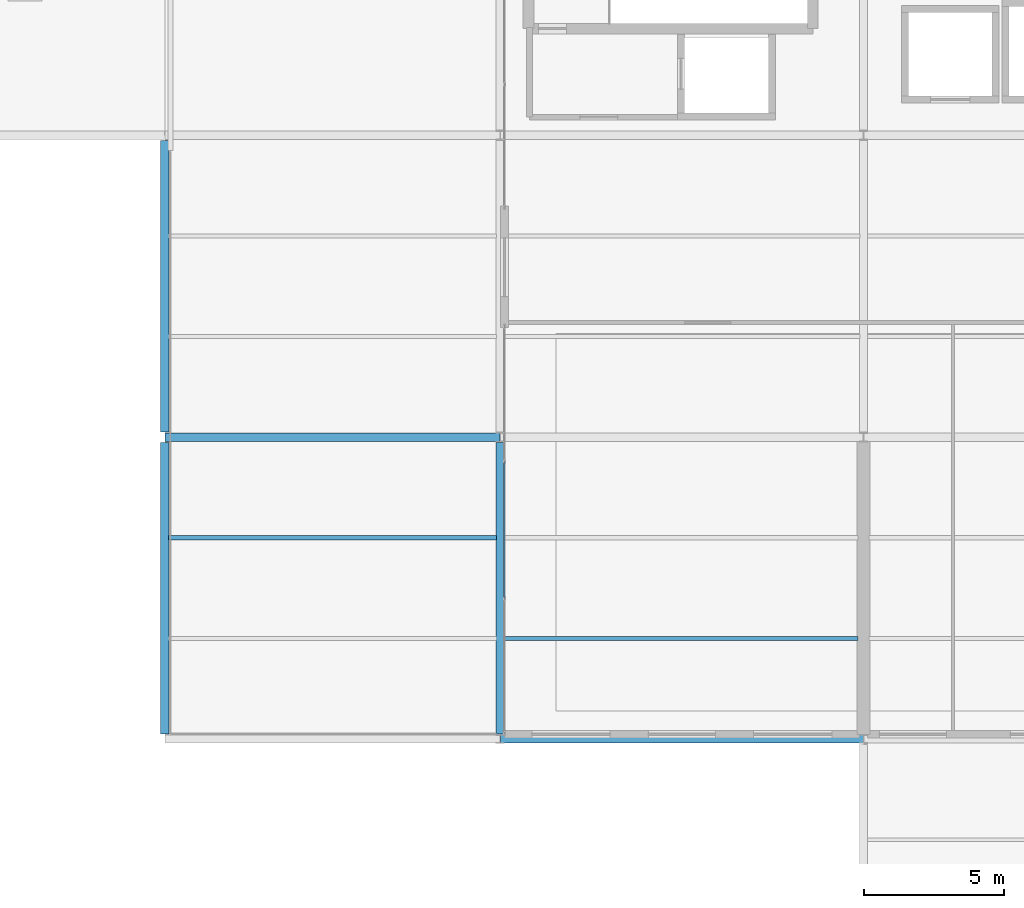
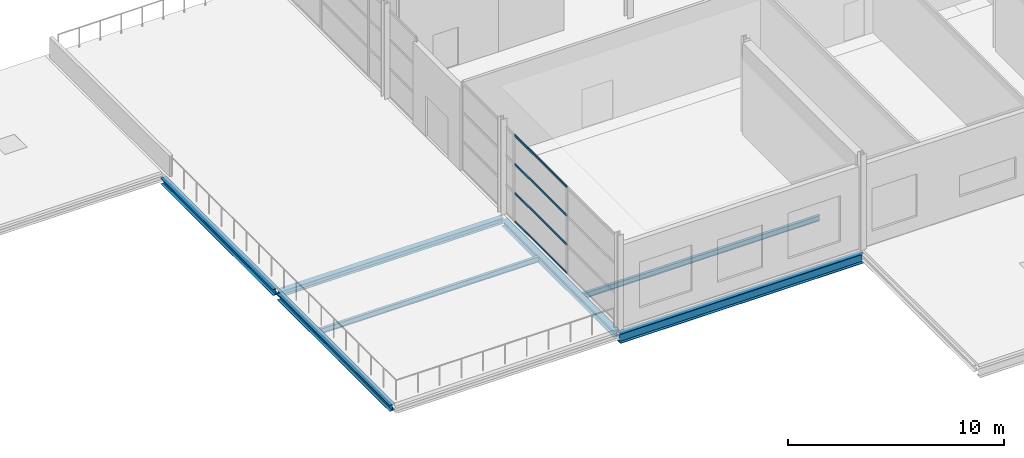
# One storey, part 6 of 34: 7 beams, 4 members, 1 element without a shape of its own.
"""IFC4 building model written with IfcOpenShell, lengths in metres."""

from ifc_helpers import new_model, si_unit, direction, frame, origin, origin_2d, place, context, subcontext, project, spatial, hollow_rectangle, i_section, extrude, material, layer, layer_set, material_profile, profile_set, type_object, element, aggregate, save


model = new_model("IFC4")

# Units and contexts
model_context = context("Model", 3, precision=1e-05, world=origin(), true_north=direction((0.0, 1.0)))
body_context = subcontext(model_context, "Body", "Model", "MODEL_VIEW")
ifc_project = project(units=[si_unit("LENGTHUNIT", "METRE"), si_unit("AREAUNIT", "SQUARE_METRE"), si_unit("VOLUMEUNIT", "CUBIC_METRE"), si_unit("PLANEANGLEUNIT", "RADIAN"), si_unit("MASSUNIT", "GRAM", prefix="KILO")], contexts=[model_context])

# Site, building, storey
site_placement = place(None, origin())
site = spatial("IfcSite", under=ifc_project, at=site_placement, CompositionType="ELEMENT")
building_placement = place(site_placement, origin())
building = spatial("IfcBuilding", under=site, at=building_placement, Name="Tamarisk Ironworks Central Station", CompositionType="ELEMENT")
storey_placement = place(building_placement, frame((0.0, 0.0, 25.199951171875)))
storey = spatial("IfcBuildingStorey", under=building, at=storey_placement, Name="L05", CompositionType="ELEMENT", Elevation=25.199951171875)

# Beams
ifc_material_1 = material(Name="Structural steel S355J2", Category="steel")
ifc_material_profile_1 = material_profile(ifc_material_1, i_section(OverallWidth=0.14990234375, OverallDepth=0.300048828125, WebThickness=0.007080078125, FlangeThickness=0.0107421875, at=origin_2d()), Name="IPE 300")
ifc_profile_set_1 = profile_set([ifc_material_profile_1], Name="Structural steel S355J2")
beam_type_1 = type_object("IfcBeamType", Name="BM-B07", PredefinedType="BEAM", material=ifc_profile_set_1)
beam_1_placement = place(storey_placement, frame((128.135009765625, 97.199951171875, -0.349853515625), z_axis=(1.0, 0.0, 0.0), x_axis=(0.0, 1.0, 0.0)))
element("IfcBeam", 1, at=beam_1_placement, inside=storey, type_object=beam_type_1, Name="L05 secondary composite beam 0263", PredefinedType="BEAM", context=body_context, shape_type="SweptSolid", body=[
    extrude(i_section(OverallWidth=0.14990234375, OverallDepth=0.300048828125, WebThickness=0.007080078125, FlangeThickness=0.0107421875, at=origin_2d()), origin(), (0.0, 0.0, 1.0), 11.72998046875),
])
beam_2_placement = place(storey_placement, frame((140.135009765625, 93.60009765625, -0.369873046875), z_axis=(1.0, 0.0, 0.0), x_axis=(0.0, 1.0, 0.0)))
element("IfcBeam", 2, at=beam_2_placement, inside=storey, type_object=beam_type_1, Name="L05 secondary composite beam 0266", PredefinedType="BEAM", context=body_context, shape_type="SweptSolid", body=[
    extrude(i_section(OverallWidth=0.14990234375, OverallDepth=0.300048828125, WebThickness=0.007080078125, FlangeThickness=0.0107421875, at=origin_2d()), origin(), (0.0, 0.0, 1.0), 12.6650390625),
])
ifc_material_profile_2 = material_profile(ifc_material_1, i_section(OverallWidth=0.300048828125, OverallDepth=0.5400390625, WebThickness=0.012451171875, FlangeThickness=0.02392578125, at=origin_2d()), Name="HEA 550")
ifc_profile_set_2 = profile_set([ifc_material_profile_2], Name="Structural steel S355J2")
beam_type_2 = type_object("IfcBeamType", Name="BM-G04", PredefinedType="BEAM", material=ifc_profile_set_2)
beam_3_placement = place(storey_placement, frame((140.00390625, 90.0, -0.489990234375), z_axis=(1.0, 0.0, 0.0), x_axis=(0.0, 1.0, 0.0)))
element("IfcBeam", 3, at=beam_3_placement, inside=storey, type_object=beam_type_2, Name="L05 primary girder X-0753", PredefinedType="BEAM", context=body_context, shape_type="SweptSolid", body=[
    extrude(i_section(OverallWidth=0.300048828125, OverallDepth=0.5400390625, WebThickness=0.012451171875, FlangeThickness=0.02392578125, at=origin_2d()), origin(), (0.0, 0.0, 1.0), 12.9921875),
])
ifc_material_profile_3 = material_profile(ifc_material_1, i_section(OverallWidth=0.300048828125, OverallDepth=0.35009765625, WebThickness=0.010009765625, FlangeThickness=0.017578125, at=origin_2d()), Name="HEA 360")
ifc_profile_set_3 = profile_set([ifc_material_profile_3], Name="Structural steel S355J2")
beam_type_3 = type_object("IfcBeamType", Name="BM-G08", PredefinedType="BEAM", material=ifc_profile_set_3)
for number, where, z_axis, x_axis, name in (
    (4, (128.0, 90.18798828125, -0.375), (0.0, 1.0, 0.0), (-1.0, 0.0, 0.0), "L05 primary girder Y-0771"),
    (5, (128.0, 100.988037109375, -0.375), (0.0, 1.0, 0.0), (-1.0, 0.0, 0.0), "L05 primary girder Y-0772"),
    (6, (140.0, 90.18798828125, -0.39501953125), (0.0, 1.0, 0.0), (-1.0, 0.0, 0.0), "L05 primary girder Y-0773"),
):
    element("IfcBeam", number, at=place(storey_placement, frame(where, z_axis=z_axis, x_axis=x_axis)), inside=storey, type_object=beam_type_3, Name=name, PredefinedType="BEAM", context=body_context, shape_type="SweptSolid", body=[
        extrude(i_section(OverallWidth=0.300048828125, OverallDepth=0.35009765625, WebThickness=0.010009765625, FlangeThickness=0.017578125, at=origin_2d()), origin(), (0.0, 0.0, 1.0), 10.424072265625),
    ])
ifc_material_profile_4 = material_profile(ifc_material_1, i_section(OverallWidth=0.300048828125, OverallDepth=0.31005859375, WebThickness=0.009033203125, FlangeThickness=0.015380859375, at=origin_2d()), Name="HEA 320")
ifc_profile_set_4 = profile_set([ifc_material_profile_4], Name="Structural steel S355J2")
beam_type_4 = type_object("IfcBeamType", Name="BM-G09", PredefinedType="BEAM", material=ifc_profile_set_4)
beam_4_placement = place(storey_placement, frame((128.00390625, 100.800048828125, -0.35498046875), z_axis=(1.0, 0.0, 0.0), x_axis=(0.0, 1.0, 0.0)))
element("IfcBeam", 7, at=beam_4_placement, inside=storey, type_object=beam_type_4, Name="L05 primary girder X-0756", PredefinedType="BEAM", context=body_context, shape_type="SweptSolid", body=[
    extrude(i_section(OverallWidth=0.300048828125, OverallDepth=0.31005859375, WebThickness=0.009033203125, FlangeThickness=0.015380859375, at=origin_2d()), origin(), (0.0, 0.0, 1.0), 11.9921875),
])

# Curtain wall, members
ifc_material_2 = material(Name="Anodized aluminium alloy 6063-T6", Category="aluminium")
ifc_layer = layer(ifc_material_2, 0.179931640625)
ifc_layer_set = layer_set([ifc_layer], Name="Anodized aluminium alloy 6063-T6")
curtain_wall_type = type_object("IfcCurtainWallType", Name="CW-20", PredefinedType="USERDEFINED", material=ifc_layer_set)
curtain_wall_placement = place(storey_placement, origin())
curtain_wall = element("IfcCurtainWall", 8, at=curtain_wall_placement, inside=storey, type_object=curtain_wall_type, Name="Crown terrace overlook curtain wall L05-158", ObjectType="GLAZED CURTAIN WALL", PredefinedType="USERDEFINED")
ifc_material_profile_5 = material_profile(ifc_material_2, hollow_rectangle(XDim=0.06005859375, YDim=0.114990234375, WallThickness=0.00341796875, at=origin_2d()), Name="ALUM 115x60")
ifc_profile_set_5 = profile_set([ifc_material_profile_5], Name="Anodized aluminium alloy 6063-T6")
member_type = type_object("IfcMemberType", Name="CWT-03", PredefinedType="USERDEFINED", material=ifc_profile_set_5)
member_1_placement = place(storey_placement, frame((140.14990234375, 95.064697265625, 0.030029296875), z_axis=(0.0, 1.0, 0.0), x_axis=(-1.0, 0.0, 0.0)))
member_1 = element("IfcMember", 9, at=member_1_placement, type_object=member_type, Name="CW20 transom 2.1", ObjectType="TRANSOM", PredefinedType="USERDEFINED", context=body_context, shape_type="SweptSolid", body=[
    extrude(hollow_rectangle(XDim=0.06005859375, YDim=0.114990234375, WallThickness=0.00341796875, at=origin_2d()), origin(), (0.0, 0.0, 1.0), 4.82861328125),
])
member_2_placement = place(storey_placement, frame((140.14990234375, 95.064697265625, 1.64013671875), z_axis=(0.0, 1.0, 0.0), x_axis=(-1.0, 0.0, 0.0)))
member_2 = element("IfcMember", 10, at=member_2_placement, type_object=member_type, Name="CW20 transom 2.2", ObjectType="TRANSOM", PredefinedType="USERDEFINED", context=body_context, shape_type="SweptSolid", body=[
    extrude(hollow_rectangle(XDim=0.06005859375, YDim=0.114990234375, WallThickness=0.00341796875, at=origin_2d()), origin(), (0.0, 0.0, 1.0), 4.82861328125),
])
member_3_placement = place(storey_placement, frame((140.14990234375, 95.064697265625, 3.280029296875), z_axis=(0.0, 1.0, 0.0), x_axis=(-1.0, 0.0, 0.0)))
member_3 = element("IfcMember", 11, at=member_3_placement, type_object=member_type, Name="CW20 transom 2.3", ObjectType="TRANSOM", PredefinedType="USERDEFINED", context=body_context, shape_type="SweptSolid", body=[
    extrude(hollow_rectangle(XDim=0.06005859375, YDim=0.114990234375, WallThickness=0.00341796875, at=origin_2d()), origin(), (0.0, 0.0, 1.0), 4.82861328125),
])
member_4_placement = place(storey_placement, frame((140.14990234375, 95.064697265625, 4.89013671875), z_axis=(0.0, 1.0, 0.0), x_axis=(-1.0, 0.0, 0.0)))
member_4 = element("IfcMember", 12, at=member_4_placement, type_object=member_type, Name="CW20 transom 2.4", ObjectType="TRANSOM", PredefinedType="USERDEFINED", context=body_context, shape_type="SweptSolid", body=[
    extrude(hollow_rectangle(XDim=0.06005859375, YDim=0.114990234375, WallThickness=0.00341796875, at=origin_2d()), origin(), (0.0, 0.0, 1.0), 4.82861328125),
])
aggregate(curtain_wall, [member_1, member_2, member_3, member_4])

save(model, "model.ifc")
